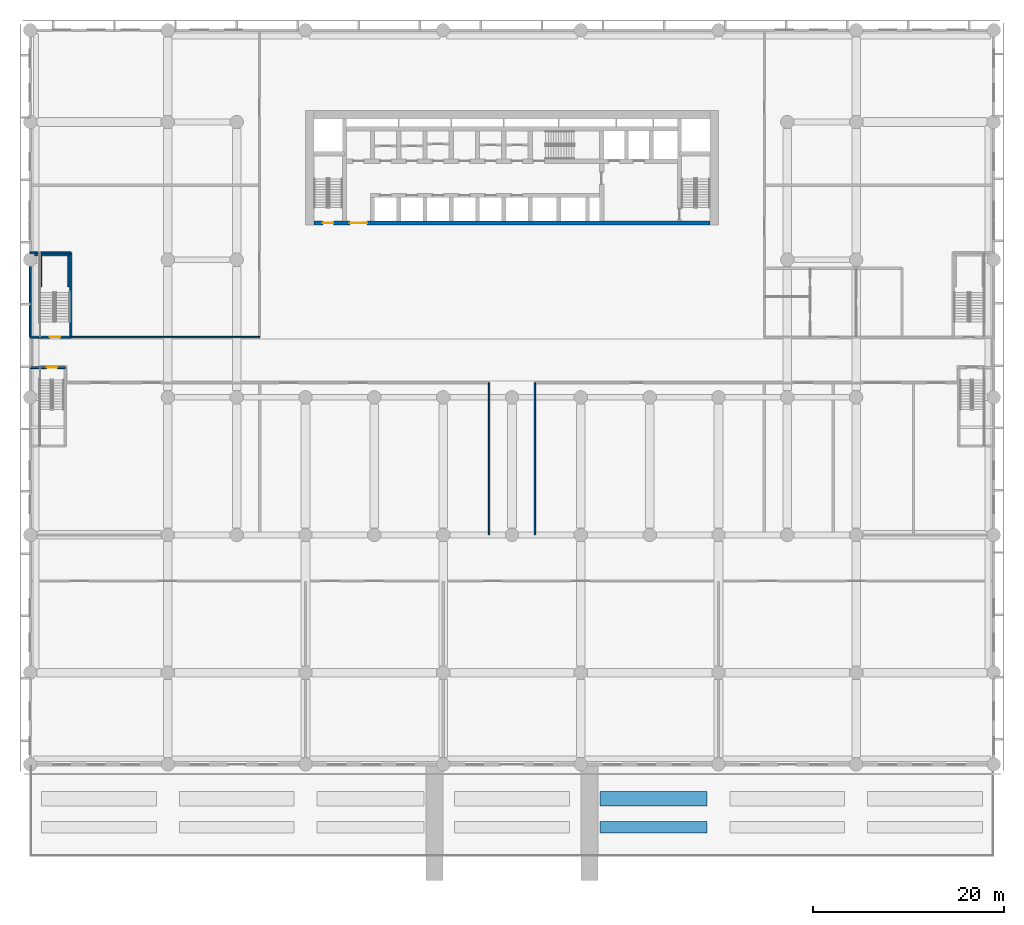
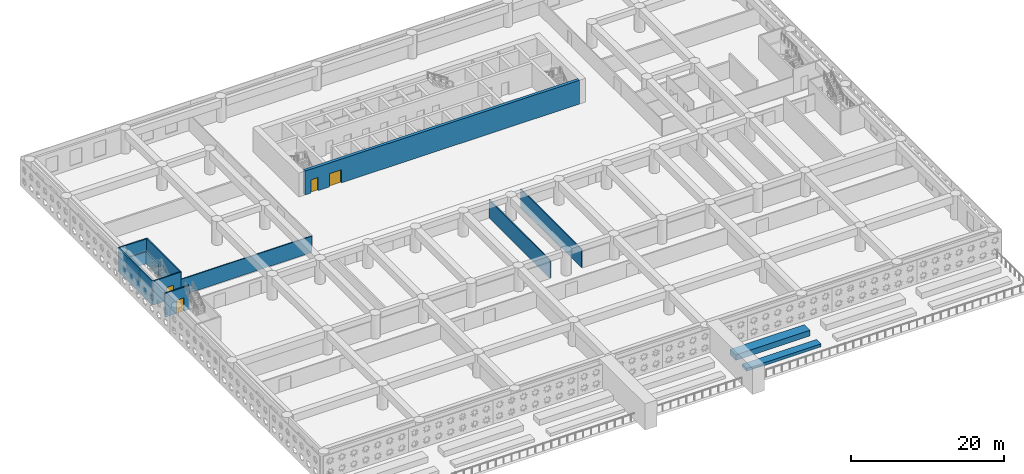
# One storey, part 5 of 24: 14 walls, 4 doors, 4 openings.
"""IFC4 building model written with IfcOpenShell, lengths in metres."""

from ifc_helpers import new_model, si_unit, direction, frame, frame_2d, origin, place, context, subcontext, project, spatial, rectangle, extrude, material, layer, layer_set, type_object, element, fill, save


model = new_model("IFC4")

# Units and contexts
model_context = context("Model", 3, precision=1e-05, world=origin(), true_north=direction((0.0, 1.0)))
body_context = subcontext(model_context, "Body", "Model", "MODEL_VIEW")
ifc_project = project(units=[si_unit("LENGTHUNIT", "METRE"), si_unit("AREAUNIT", "SQUARE_METRE"), si_unit("VOLUMEUNIT", "CUBIC_METRE"), si_unit("PLANEANGLEUNIT", "RADIAN"), si_unit("MASSUNIT", "GRAM", prefix="KILO")], contexts=[model_context])

# Site, building, storey
site_placement = place(None, origin())
site = spatial("IfcSite", under=ifc_project, at=site_placement, CompositionType="ELEMENT")
building_placement = place(site_placement, origin())
building = spatial("IfcBuilding", under=site, at=building_placement, Name="Saffron Iwan Residences", CompositionType="ELEMENT")
storey_placement = place(building_placement, frame((0.0, 0.0, 13.199951171875)))
storey = spatial("IfcBuildingStorey", under=building, at=storey_placement, Name="L02", CompositionType="ELEMENT", Elevation=13.199951171875)

# Walls
ifc_material_1 = material(Name="Concrete blockwork", Category="masonry")
ifc_layer_1 = layer(ifc_material_1, 0.14990234375)
ifc_layer_set_1 = layer_set([ifc_layer_1], Name="Concrete blockwork")
wall_type_1 = type_object("IfcWallType", Name="Blockwork partition 150", PredefinedType="PARTITIONING", material=ifc_layer_set_1)
wall_1_placement = place(storey_placement, frame((4.25, 54.300048828125, 0.0), z_axis=(0.0, 0.0, 1.0), x_axis=(1.0, 0.0, 0.0)))
element("IfcWall", 1, at=wall_1_placement, inside=storey, type_object=wall_type_1, Name="W-L02-011", PredefinedType="PARTITIONING", context=body_context, shape_type="SweptSolid", body=[
    extrude(rectangle(XDim=19.75, YDim=0.14990234375, at=frame_2d((9.875, 0.0))), origin(), (0.0, 0.0, 1.0), 2.60009765625),
])
for number, where, z_axis, x_axis, name in (
    (2, (48.0, 33.60009765625, 0.0), (0.0, 0.0, 1.0), (0.0, 1.0, 0.0), "W-L02-033"),
    (3, (52.800048828125, 33.60009765625, 0.0), (0.0, 0.0, 1.0), (0.0, 1.0, 0.0), "W-L02-034"),
):
    element("IfcWall", number, at=place(storey_placement, frame(where, z_axis=z_axis, x_axis=x_axis)), inside=storey, type_object=wall_type_1, Name=name, PredefinedType="PARTITIONING", context=body_context, shape_type="SweptSolid", body=[
        extrude(rectangle(XDim=15.89990234375, YDim=0.14990234375, at=frame_2d((7.949951171875, 0.0))), origin(), (0.0, 0.0, 1.0), 2.900146484375),
    ])
ifc_material_2 = material(Name="Concrete C40/50", Category="concrete")
ifc_layer_2 = layer(ifc_material_2, 0.199951171875)
ifc_layer_set_2 = layer_set([ifc_layer_2], Name="Concrete C40/50")
wall_type_2 = type_object("IfcWallType", Name="Landing support wall, reinforced concrete 200", PredefinedType="SOLIDWALL", material=ifc_layer_set_2)
for number, where, z_axis, x_axis, name in (
    (4, (1.10009765625, 59.580078125, 0.0), (0.0, 0.0, 1.0), (0.0, 1.0, 0.0), "PS3 landing support wall"),
    (5, (4.050048828125, 59.580078125, 0.0), (0.0, 0.0, 1.0), (0.0, 1.0, 0.0), "PS3 landing support wall"),
):
    element("IfcWall", number, at=place(storey_placement, frame(where, z_axis=z_axis, x_axis=x_axis)), inside=storey, type_object=wall_type_2, Name=name, PredefinedType="SOLIDWALL", context=body_context, shape_type="SweptSolid", body=[
        extrude(rectangle(XDim=3.219970703125, YDim=0.199951171875, at=frame_2d((1.60986328125, 0.0))), origin(), (0.0, 0.0, 1.0), 1.900146484375),
    ])
wall_2_placement = place(storey_placement, frame((0.489990234375, 62.89990234375, 0.0), z_axis=(0.0, 0.0, 1.0), x_axis=(1.0, 0.0, 0.0)))
element("IfcWall", 6, at=wall_2_placement, inside=storey, type_object=wall_type_2, Name="PS3 landing support wall", PredefinedType="SOLIDWALL", context=body_context, shape_type="SweptSolid", body=[
    extrude(rectangle(XDim=3.659912109375, YDim=0.199951171875, at=frame_2d((1.830078125, 0.0))), origin(), (0.0, 0.0, 1.0), 1.900146484375),
])

# Wall, opening, door
ifc_layer_3 = layer(ifc_material_2, 0.199951171875)
ifc_layer_set_3 = layer_set([ifc_layer_3], Name="Concrete C40/50")
wall_type_3 = type_object("IfcWallType", Name="Reinforced concrete stair wall 200", PredefinedType="SOLIDWALL", material=ifc_layer_set_3)
wall_3_placement = place(storey_placement, frame((0.0, 51.10009765625, 0.0), z_axis=(0.0, 0.0, 1.0), x_axis=(1.0, 0.0, 0.0)))
wall_3 = element("IfcWall", 7, at=wall_3_placement, inside=storey, type_object=wall_type_3, Name="W-L02-009", PredefinedType="SOLIDWALL", context=body_context, shape_type="SweptSolid", body=[
    extrude(rectangle(XDim=3.64990234375, YDim=0.199951171875, at=frame_2d((1.824951171875, 0.0))), origin(), (0.0, 0.0, 1.0), 3.800048828125),
])
opening_1_placement = place(wall_3_placement, frame((1.72509765625, 0.0, 0.0)))
opening_1 = element("IfcOpeningElement", 8, at=opening_1_placement, cuts=wall_3, Name="Opening L02.29", PredefinedType="OPENING", context=body_context, shape_type="SweptSolid", body=[
    extrude(rectangle(XDim=1.10009765625, YDim=2.10009765625, at=frame_2d((0.550048828125, 1.050048828125))), frame((0.0, 0.10986328125, 0.0), z_axis=(0.0, -1.0, 0.0), x_axis=(1.0, 0.0, 0.0)), (0.0, 0.0, 1.0), 0.219970703125),
])
ifc_material_3 = material(Name="Steel", Category="steel")
door_type_1 = type_object("IfcDoorType", Name="Fire door 1100x2100", OperationType="NOTDEFINED", PredefinedType="DOOR", material=ifc_material_3)
door_1_placement = place(opening_1_placement, origin())
door_1 = element("IfcDoor", 9, at=door_1_placement, inside=storey, type_object=door_type_1, Name="D-L02-029", OperationType="SINGLE_SWING_RIGHT", OverallHeight=2.10009765625, OverallWidth=1.10009765625, PredefinedType="DOOR", context=body_context, shape_type="SweptSolid", body=[
    extrude(rectangle(XDim=1.10009765625, YDim=2.10009765625, at=frame_2d((0.550048828125, 1.050048828125))), frame((0.0, 0.02490234375, 0.0), z_axis=(0.0, -1.0, 0.0), x_axis=(1.0, 0.0, 0.0)), (0.0, 0.0, 1.0), 0.050048828125),
])
fill(opening_1, door_1)

wall_4_placement = place(storey_placement, frame((0.0, 54.300048828125, 0.0), z_axis=(0.0, 0.0, 1.0), x_axis=(1.0, 0.0, 0.0)))
wall_4 = element("IfcWall", 10, at=wall_4_placement, inside=storey, type_object=wall_type_3, Name="W-L02-013", PredefinedType="SOLIDWALL", context=body_context, shape_type="SweptSolid", body=[
    extrude(rectangle(XDim=4.25, YDim=0.199951171875, at=frame_2d((2.125, 0.0))), origin(), (0.0, 0.0, 1.0), 3.800048828125),
])
opening_2_placement = place(wall_4_placement, frame((2.02490234375, 0.0, 0.0)))
opening_2 = element("IfcOpeningElement", 11, at=opening_2_placement, cuts=wall_4, Name="Opening L02.31", PredefinedType="OPENING", context=body_context, shape_type="SweptSolid", body=[
    extrude(rectangle(XDim=1.10009765625, YDim=2.10009765625, at=frame_2d((0.550048828125, 1.050048828125))), frame((0.0, 0.10986328125, 0.0), z_axis=(0.0, -1.0, 0.0), x_axis=(1.0, 0.0, 0.0)), (0.0, 0.0, 1.0), 0.219970703125),
])
door_2_placement = place(opening_2_placement, origin())
door_2 = element("IfcDoor", 12, at=door_2_placement, inside=storey, type_object=door_type_1, Name="D-L02-031", OperationType="SINGLE_SWING_RIGHT", OverallHeight=2.10009765625, OverallWidth=1.10009765625, PredefinedType="DOOR", context=body_context, shape_type="SweptSolid", body=[
    extrude(rectangle(XDim=1.10009765625, YDim=2.10009765625, at=frame_2d((0.550048828125, 1.050048828125))), frame((0.0, 0.02490234375, 0.0), z_axis=(0.0, -1.0, 0.0), x_axis=(1.0, 0.0, 0.0)), (0.0, 0.0, 1.0), 0.050048828125),
])
fill(opening_2, door_2)

# Walls
wall_5_placement = place(storey_placement, frame((0.0, 63.10009765625, 0.0), z_axis=(0.0, 0.0, 1.0), x_axis=(1.0, 0.0, 0.0)))
element("IfcWall", 13, at=wall_5_placement, inside=storey, type_object=wall_type_3, Name="W-L02-017", PredefinedType="SOLIDWALL", context=body_context, shape_type="SweptSolid", body=[
    extrude(rectangle(XDim=4.25, YDim=0.199951171875, at=frame_2d((2.125, 0.0))), origin(), (0.0, 0.0, 1.0), 3.800048828125),
])
for number, where, z_axis, x_axis, name in (
    (14, (0.0, 54.300048828125, 0.0), (0.0, 0.0, 1.0), (0.0, 1.0, 0.0), "W-L02-026"),
    (15, (4.25, 54.300048828125, 0.0), (0.0, 0.0, 1.0), (0.0, 1.0, 0.0), "W-L02-028"),
):
    element("IfcWall", number, at=place(storey_placement, frame(where, z_axis=z_axis, x_axis=x_axis)), inside=storey, type_object=wall_type_3, Name=name, PredefinedType="SOLIDWALL", context=body_context, shape_type="SweptSolid", body=[
        extrude(rectangle(XDim=8.800048828125, YDim=0.199951171875, at=frame_2d((4.39990234375, 0.0))), origin(), (0.0, 0.0, 1.0), 3.800048828125),
    ])
ifc_layer_4 = layer(ifc_material_2, 1.199951171875)
ifc_layer_set_4 = layer_set([ifc_layer_4], Name="Concrete C40/50")
wall_type_4 = type_object("IfcWallType", Name="Terrace planter wall 1200", PredefinedType="SOLIDWALL", material=ifc_layer_set_4)
wall_6_placement = place(storey_placement, frame((59.60009765625, 3.0, 0.0), z_axis=(0.0, 0.0, 1.0), x_axis=(1.0, 0.0, 0.0)))
element("IfcWall", 16, at=wall_6_placement, inside=storey, type_object=wall_type_4, Name="PLANTER terrace L02 9", PredefinedType="SOLIDWALL", context=body_context, shape_type="SweptSolid", body=[
    extrude(rectangle(XDim=11.199951171875, YDim=1.199951171875, at=frame_2d((5.60009765625, 0.0))), origin(), (0.0, 0.0, 1.0), 0.449951171875),
])
ifc_layer_5 = layer(ifc_material_2, 1.5)
ifc_layer_set_5 = layer_set([ifc_layer_5], Name="Concrete C40/50")
wall_type_5 = type_object("IfcWallType", Name="Terrace planter wall 1500", PredefinedType="SOLIDWALL", material=ifc_layer_set_5)
wall_7_placement = place(storey_placement, frame((59.60009765625, 6.0, 0.0), z_axis=(0.0, 0.0, 1.0), x_axis=(1.0, 0.0, 0.0)))
element("IfcWall", 17, at=wall_7_placement, inside=storey, type_object=wall_type_5, Name="PLANTER terrace L02 10", PredefinedType="SOLIDWALL", context=body_context, shape_type="SweptSolid", body=[
    extrude(rectangle(XDim=11.199951171875, YDim=1.5, at=frame_2d((5.60009765625, 0.0))), origin(), (0.0, 0.0, 1.0), 0.900146484375),
])

# Wall, openings, doors
ifc_material_4 = material(Name="Concrete C60/75", Category="concrete")
ifc_layer_6 = layer(ifc_material_4, 0.449951171875)
ifc_layer_set_6 = layer_set([ifc_layer_6], Name="Concrete C60/75")
wall_type_6 = type_object("IfcWallType", Name="WALL CORE 450 C60/75 3800 HIGH", PredefinedType="SHEAR", material=ifc_layer_set_6)
wall_8_placement = place(storey_placement, frame((29.699951171875, 66.22509765625, 0.0), z_axis=(0.0, 0.0, 1.0), x_axis=(1.0, 0.0, 0.0)))
wall_8 = element("IfcWall", 18, at=wall_8_placement, inside=storey, type_object=wall_type_6, Name="Core wall", PredefinedType="SHEAR", context=body_context, shape_type="SweptSolid", body=[
    extrude(rectangle(XDim=41.400146484375, YDim=0.449951171875, at=frame_2d((20.7001953125, 0.0))), origin(), (0.0, 0.0, 1.0), 3.800048828125),
])
opening_3_placement = place(wall_8_placement, frame((0.925048828125, 0.0, 0.0)))
opening_3 = element("IfcOpeningElement", 19, at=opening_3_placement, cuts=wall_8, Name="Opening SD", PredefinedType="OPENING", context=body_context, shape_type="SweptSolid", body=[
    extrude(rectangle(XDim=1.10009765625, YDim=2.10009765625, at=frame_2d((0.550048828125, 1.050048828125))), frame((0.0, 0.23486328125, 0.0), z_axis=(0.0, -1.0, 0.0), x_axis=(1.0, 0.0, 0.0)), (0.0, 0.0, 1.0), 0.469970703125),
])
opening_4_placement = place(wall_8_placement, frame((3.737548828125, 0.0, 0.0)))
opening_4 = element("IfcOpeningElement", 20, at=opening_4_placement, cuts=wall_8, Name="Opening DD", PredefinedType="OPENING", context=body_context, shape_type="SweptSolid", body=[
    extrude(rectangle(XDim=1.800048828125, YDim=2.10009765625, at=frame_2d((0.89990234375, 1.050048828125))), frame((0.0, 0.23486328125, 0.0), z_axis=(0.0, -1.0, 0.0), x_axis=(1.0, 0.0, 0.0)), (0.0, 0.0, 1.0), 0.469970703125),
])
ifc_material_5 = material(Name="Steel fire door", Category="steel")
door_type_2 = type_object("IfcDoorType", Name="Lobby double door 1800", OperationType="DOUBLE_DOOR_SINGLE_SWING", PredefinedType="DOOR", material=ifc_material_5)
door_3_placement = place(opening_4_placement, origin())
door_3 = element("IfcDoor", 21, at=door_3_placement, inside=storey, type_object=door_type_2, Name="Lobby doors", OperationType="DOUBLE_DOOR_SINGLE_SWING", OverallHeight=2.10009765625, OverallWidth=1.800048828125, PredefinedType="DOOR", context=body_context, shape_type="SweptSolid", body=[
    extrude(rectangle(XDim=1.800048828125, YDim=2.10009765625, at=frame_2d((0.89990234375, 1.050048828125))), frame((0.0, 0.02490234375, 0.0), z_axis=(0.0, -1.0, 0.0), x_axis=(1.0, 0.0, 0.0)), (0.0, 0.0, 1.0), 0.050048828125),
])
fill(opening_4, door_3)
door_type_3 = type_object("IfcDoorType", Name="Stair door 1100", OperationType="NOTDEFINED", PredefinedType="DOOR", material=ifc_material_5)
door_4_placement = place(opening_3_placement, origin())
door_4 = element("IfcDoor", 22, at=door_4_placement, inside=storey, type_object=door_type_3, Name="Stair door ST-W", OperationType="SINGLE_SWING_LEFT", OverallHeight=2.10009765625, OverallWidth=1.10009765625, PredefinedType="DOOR", context=body_context, shape_type="SweptSolid", body=[
    extrude(rectangle(XDim=1.10009765625, YDim=2.10009765625, at=frame_2d((0.550048828125, 1.050048828125))), frame((0.0, 0.02490234375, 0.0), z_axis=(0.0, -1.0, 0.0), x_axis=(1.0, 0.0, 0.0)), (0.0, 0.0, 1.0), 0.050048828125),
])
fill(opening_3, door_4)

save(model, "model.ifc")
